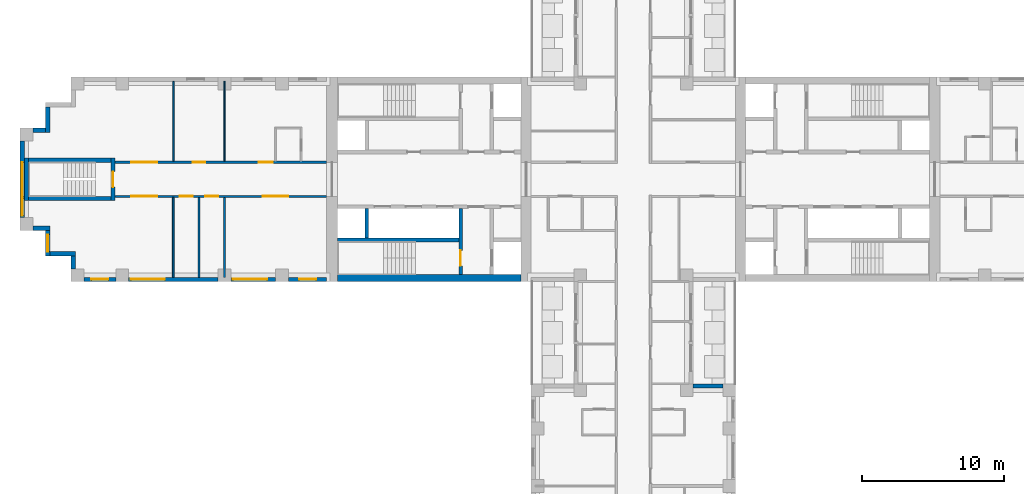
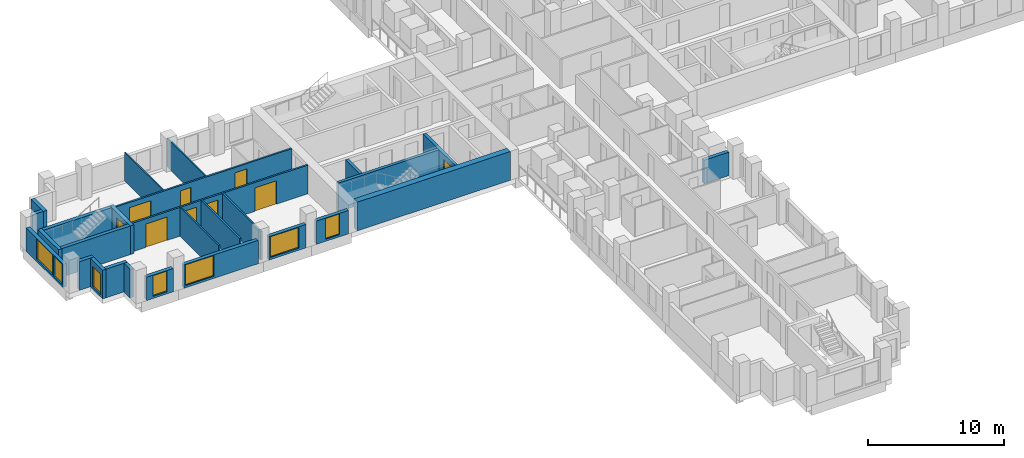
# One storey, part 5 of 15: 27 walls, 9 doors, 7 windows, 16 openings.
"""IFC4 building model written with IfcOpenShell, lengths in metres."""

import ifcopenshell
import ifcopenshell.guid

model = None  # the IFC model being written
_history = None  # IfcOwnerHistory: only IFC2X3 demands one
_inside = {}  # id of a spatial element -> (the spatial element, [elements in it])
_under = {}  # id of a project, library or spatial element -> (it, [spatial elements below it])
_declared = {}  # id of a project -> (the project, [libraries it declares])
_typed = {}  # id of a type object -> (the type object, [elements of that type])
_made_of = {}  # id of a material, layer set ... -> (it, [elements and type objects made of it])


def new_model(schema):
    """Start an empty IFC model of exactly this schema.

    Asked for "IFC4X3", IfcOpenShell would pick the latest addendum, in which some entities
    have other attributes; the version numbers below select the first issue.
    IFC2X3 requires an IfcOwnerHistory on every rooted entity: one is made here for all.
    """
    global model, _history
    if schema == "IFC4X3":
        model = ifcopenshell.file(schema_version=(4, 3, 0, 0))
    else:
        model = ifcopenshell.file(schema=schema)
    _inside.clear()
    _under.clear()
    _declared.clear()
    _typed.clear()
    _made_of.clear()
    _history = None
    if model.schema == "IFC2X3":
        org = make("IfcOrganization", Name="unknown")
        user = make(
            "IfcPersonAndOrganization",
            ThePerson=make("IfcPerson", FamilyName="unknown"),
            TheOrganization=org,
        )
        app = make(
            "IfcApplication",
            ApplicationDeveloper=org,
            Version="unknown",
            ApplicationFullName="unknown",
            ApplicationIdentifier="unknown",
        )
        _history = make(
            "IfcOwnerHistory",
            OwningUser=user,
            OwningApplication=app,
            ChangeAction="ADDED",
            CreationDate=0,
        )
    return model


def make(cls, **values):
    """One entity of the class cls with the attributes given. An attribute that is None is left unset."""
    return model.create_entity(
        cls, **{name: value for name, value in values.items() if value is not None}
    )


def rooted(cls, **values):
    """An entity with a GlobalId (a new one), such as an element, a storey or a relation."""
    return make(cls, GlobalId=ifcopenshell.guid.new(), OwnerHistory=_history, **values)


def si_unit(unit_type, name, prefix=None):
    """IfcSIUnit, for example si_unit("LENGTHUNIT", "METRE", prefix="MILLI")."""
    return make("IfcSIUnit", UnitType=unit_type, Prefix=prefix, Name=name)


def assignment(units):
    """IfcUnitAssignment: the units of a project."""
    return None if units is None else make("IfcUnitAssignment", Units=units)


def point(xyz):
    """IfcCartesianPoint."""
    return None if xyz is None else make("IfcCartesianPoint", Coordinates=xyz)


def direction(xyz):
    """IfcDirection."""
    return None if xyz is None else make("IfcDirection", DirectionRatios=xyz)


def frame(location, z_axis=None, x_axis=None):
    """IfcAxis2Placement3D, a coordinate frame: its origin and axes. An axis left out is left unset."""
    return make(
        "IfcAxis2Placement3D",
        Location=point(location),
        Axis=direction(z_axis),
        RefDirection=direction(x_axis),
    )


def frame_2d(location, x_axis=None):
    """IfcAxis2Placement2D, a coordinate frame in the plane: its origin and x axis."""
    return make(
        "IfcAxis2Placement2D", Location=point(location), RefDirection=direction(x_axis)
    )


def origin():
    """The frame at (0, 0, 0) with its axes left unset."""
    return frame((0.0, 0.0, 0.0))


def place(relative_to, where):
    """IfcLocalPlacement: puts the frame where relative to a parent placement (None: the world)."""
    return make(
        "IfcLocalPlacement", PlacementRelTo=relative_to, RelativePlacement=where
    )


def context(
    kind, dimensions, precision=None, world=None, true_north=None, identifier=None
):
    """IfcGeometricRepresentationContext, for example the 3D "Model" context."""
    return make(
        "IfcGeometricRepresentationContext",
        ContextIdentifier=identifier,
        ContextType=kind,
        CoordinateSpaceDimension=dimensions,
        Precision=precision,
        WorldCoordinateSystem=world,
        TrueNorth=true_north,
    )


def subcontext(parent, identifier, kind, view, scale=None):
    """IfcGeometricRepresentationSubContext, for example "Body" below "Model"."""
    return make(
        "IfcGeometricRepresentationSubContext",
        ContextIdentifier=identifier,
        ContextType=kind,
        ParentContext=parent,
        TargetScale=scale,
        TargetView=view,
    )


def project(units=None, contexts=None):
    """IfcProject with its units and contexts."""
    return rooted(
        "IfcProject",
        Name="project",
        RepresentationContexts=contexts,
        UnitsInContext=assignment(units),
    )


def spatial(cls, under=None, at=None, **own):
    """A site, building, storey or space (cls), placed at a placement, below another one or the project."""
    s = rooted(cls, ObjectPlacement=at, **own)
    if under is not None:
        _under.setdefault(under.id(), (under, []))[1].append(s)
    return s


def profile(cls, at=None, kind="AREA", **sizes):
    """A parametric profile (cls). Its sizes go by their IFC names, for example OverallWidth=200.0."""
    return make(cls, ProfileType=kind, Position=at, **sizes)


def rectangle(**sizes):
    """IfcRectangleProfileDef."""
    return profile("IfcRectangleProfileDef", **sizes)


def extrude(swept, where, along, depth):
    """IfcExtrudedAreaSolid: the profile swept, set in the frame where, extruded along a direction by depth."""
    return make(
        "IfcExtrudedAreaSolid",
        SweptArea=swept,
        Position=where,
        ExtrudedDirection=direction(along),
        Depth=depth,
    )


def shape(context_of_items, identifier, shape_type, items):
    """IfcShapeRepresentation: the items that make up one representation, for example the "Body"."""
    return make(
        "IfcShapeRepresentation",
        ContextOfItems=context_of_items,
        RepresentationIdentifier=identifier,
        RepresentationType=shape_type,
        Items=items,
    )


def material(Name=None, Category=None):
    """IfcMaterial."""
    return make("IfcMaterial", Name=Name, Category=Category)


def layer(
    of_material, thickness, ventilated=None, Name=None, Category=None, Priority=None
):
    """IfcMaterialLayer: one layer of a wall or slab, of a material (None: an air gap)."""
    return make(
        "IfcMaterialLayer",
        Material=of_material,
        LayerThickness=thickness,
        IsVentilated=ventilated,
        Name=Name,
        Category=Category,
        Priority=Priority,
    )


def layer_set(layers, Name=None):
    """IfcMaterialLayerSet."""
    return make("IfcMaterialLayerSet", MaterialLayers=layers, LayerSetName=Name)


def made_of(thing, what):
    """Note that an element or type object is made of a material, layer set ...; save() writes the relation."""
    if what is not None:
        _made_of.setdefault(what.id(), (what, []))[1].append(thing)
    return thing


def type_object(cls, material=None, **own):
    """A type object (cls), such as IfcWallType, which elements share."""
    return made_of(rooted(cls, **own), material)


def element(
    cls,
    number,
    at=None,
    inside=None,
    cuts=None,
    type_object=None,
    material=None,
    context=None,
    identifier="Body",
    shape_type=None,
    held_by="IfcProductDefinitionShape",
    body=None,
    shapes=None,
    **own,
):
    """One element of the class cls, such as IfcWall. Its Tag is "e" and its number.

    at: its placement. inside: the storey or other place that contains it. cuts: it is an
    opening in that element (IfcRelVoidsElement). A single representation is given by context,
    identifier, shape_type and body (its items); several are given by shapes. held_by: the class
    of the entity that holds the representations. save() writes the other relations.
    """
    e = rooted(cls, Tag="e%d" % number, ObjectPlacement=at, **own)
    if body is not None:
        shapes = [shape(context, identifier, shape_type, body)]
    if shapes is not None:
        e.Representation = make(held_by, Representations=shapes)
    if inside is not None:
        _inside.setdefault(inside.id(), (inside, []))[1].append(e)
    if cuts is not None:
        rooted(
            "IfcRelVoidsElement", RelatingBuildingElement=cuts, RelatedOpeningElement=e
        )
    if type_object is not None:
        _typed.setdefault(type_object.id(), (type_object, []))[1].append(e)
    return made_of(e, material)


def fill(opening, filler):
    """IfcRelFillsElement: the door or window that sits in an opening."""
    return rooted(
        "IfcRelFillsElement",
        RelatingOpeningElement=opening,
        RelatedBuildingElement=filler,
    )


def aggregate(whole, parts):
    """IfcRelAggregates: a whole, such as a stair, and the parts it consists of."""
    return rooted("IfcRelAggregates", RelatingObject=whole, RelatedObjects=parts)


def save(model, path):
    """Write the relations noted so far, then the file.

    IfcRelAggregates (storeys below a building ...), IfcRelContainedInSpatialStructure (elements
    in a storey), IfcRelDefinesByType, IfcRelAssociatesMaterial and IfcRelDeclares: one each for
    every whole, place, type object, material and project.
    """
    for whole, parts in _under.values():
        aggregate(whole, parts)
    for where, things in _inside.values():
        rooted(
            "IfcRelContainedInSpatialStructure",
            RelatedElements=things,
            RelatingStructure=where,
        )
    for kind, things in _typed.values():
        rooted("IfcRelDefinesByType", RelatedObjects=things, RelatingType=kind)
    for what, things in _made_of.values():
        rooted("IfcRelAssociatesMaterial", RelatedObjects=things, RelatingMaterial=what)
    for by, libraries in _declared.values():
        rooted("IfcRelDeclares", RelatingContext=by, RelatedDefinitions=libraries)
    model.write(path)


model = new_model("IFC4")

# Units and contexts
model_context = context("Model", 3, precision=1e-05, world=origin(), true_north=direction((0.0, 1.0)))
body_context = subcontext(model_context, "Body", "Model", "MODEL_VIEW")
ifc_project = project(units=[si_unit("LENGTHUNIT", "METRE"), si_unit("AREAUNIT", "SQUARE_METRE"), si_unit("VOLUMEUNIT", "CUBIC_METRE"), si_unit("PLANEANGLEUNIT", "RADIAN"), si_unit("MASSUNIT", "GRAM", prefix="KILO")], contexts=[model_context])

# Site, building, storey
site_placement = place(None, origin())
site = spatial("IfcSite", under=ifc_project, at=site_placement, CompositionType="ELEMENT")
building_placement = place(site_placement, origin())
building = spatial("IfcBuilding", under=site, at=building_placement, Name="Fustian Cross Tower", CompositionType="ELEMENT")
storey_placement = place(building_placement, frame((0.0, 0.0, 41.699951171875)))
storey = spatial("IfcBuildingStorey", under=building, at=storey_placement, Name="L12", CompositionType="ELEMENT", Elevation=41.699951171875)

# Wall, openings, doors
ifc_material_1 = material(Name="Plasterboard on steel stud", Category="steel")
ifc_layer_1 = layer(ifc_material_1, 0.14990234375)
ifc_layer_set_1 = layer_set([ifc_layer_1], Name="Plasterboard on steel stud")
wall_type_1 = type_object("IfcWallType", Name="COMPARTMENT WALL 150 EI 60", PredefinedType="PARTITIONING", material=ifc_layer_set_1)
wall_1_placement = place(storey_placement, frame((-36.5, -1.199951171875, 0.0), z_axis=(0.0, 0.0, 1.0), x_axis=(1.0, 0.0, 0.0)))
wall_1 = element("IfcWall", 1, at=wall_1_placement, inside=storey, type_object=wall_type_1, Name="Partition 1", PredefinedType="PARTITIONING", context=body_context, shape_type="SweptSolid", body=[
    extrude(rectangle(XDim=14.89990234375, YDim=0.14990234375, at=frame_2d((7.449951171875, 0.0))), origin(), (0.0, 0.0, 1.0), 2.574951171875),
])
opening_1_placement = place(wall_1_placement, frame((10.39990234375, 0.0, 0.0)))
opening_1 = element("IfcOpeningElement", 2, at=opening_1_placement, cuts=wall_1, Name="Opening D07041", PredefinedType="OPENING", context=body_context, shape_type="SweptSolid", body=[
    extrude(rectangle(XDim=1.800048828125, YDim=2.10009765625, at=frame_2d((0.89990234375, 1.050048828125))), frame((0.0, 0.0849609375, 0.0), z_axis=(0.0, -1.0, 0.0), x_axis=(1.0, 0.0, 0.0)), (0.0, 0.0, 1.0), 0.169921875),
])
opening_2_placement = place(wall_1_placement, frame((6.35009765625, 0.0, 0.0)))
opening_2 = element("IfcOpeningElement", 3, at=opening_2_placement, cuts=wall_1, Name="Opening D07042", PredefinedType="OPENING", context=body_context, shape_type="SweptSolid", body=[
    extrude(rectangle(XDim=0.89990234375, YDim=2.10009765625, at=frame_2d((0.449951171875, 1.050048828125))), frame((0.0, 0.0849609375, 0.0), z_axis=(0.0, -1.0, 0.0), x_axis=(1.0, 0.0, 0.0)), (0.0, 0.0, 1.0), 0.169921875),
])
opening_3_placement = place(wall_1_placement, frame((4.550048828125, 0.0, 0.0)))
opening_3 = element("IfcOpeningElement", 4, at=opening_3_placement, cuts=wall_1, Name="Opening D07043", PredefinedType="OPENING", context=body_context, shape_type="SweptSolid", body=[
    extrude(rectangle(XDim=0.89990234375, YDim=2.10009765625, at=frame_2d((0.449951171875, 1.050048828125))), frame((0.0, 0.0849609375, 0.0), z_axis=(0.0, -1.0, 0.0), x_axis=(1.0, 0.0, 0.0)), (0.0, 0.0, 1.0), 0.169921875),
])
opening_4_placement = place(wall_1_placement, frame((1.14990234375, 0.0, 0.0)))
opening_4 = element("IfcOpeningElement", 5, at=opening_4_placement, cuts=wall_1, Name="Opening D07044", PredefinedType="OPENING", context=body_context, shape_type="SweptSolid", body=[
    extrude(rectangle(XDim=1.800048828125, YDim=2.10009765625, at=frame_2d((0.89990234375, 1.050048828125))), frame((0.0, 0.0849609375, 0.0), z_axis=(0.0, -1.0, 0.0), x_axis=(1.0, 0.0, 0.0)), (0.0, 0.0, 1.0), 0.169921875),
])
ifc_material_2 = material(Name="Timber fire door set", Category="wood")
door_type_1 = type_object("IfcDoorType", Name="FIRE DOUBLE DOOR 1800 FD30S", OperationType="DOUBLE_DOOR_DOUBLE_SWING", PredefinedType="DOOR", material=ifc_material_2)
door_1_placement = place(opening_1_placement, origin())
door_1 = element("IfcDoor", 6, at=door_1_placement, inside=storey, type_object=door_type_1, Name="Door D07041", OperationType="DOUBLE_DOOR_DOUBLE_SWING", OverallHeight=2.10009765625, OverallWidth=1.800048828125, PredefinedType="DOOR", context=body_context, shape_type="SweptSolid", body=[
    extrude(rectangle(XDim=1.800048828125, YDim=2.10009765625, at=frame_2d((0.89990234375, 1.050048828125))), frame((0.0, 0.02490234375, 0.0), z_axis=(0.0, -1.0, 0.0), x_axis=(1.0, 0.0, 0.0)), (0.0, 0.0, 1.0), 0.050048828125),
])
fill(opening_1, door_1)
door_2_placement = place(opening_4_placement, origin())
door_2 = element("IfcDoor", 7, at=door_2_placement, inside=storey, type_object=door_type_1, Name="Door D07044", OperationType="DOUBLE_DOOR_DOUBLE_SWING", OverallHeight=2.10009765625, OverallWidth=1.800048828125, PredefinedType="DOOR", context=body_context, shape_type="SweptSolid", body=[
    extrude(rectangle(XDim=1.800048828125, YDim=2.10009765625, at=frame_2d((0.89990234375, 1.050048828125))), frame((0.0, 0.02490234375, 0.0), z_axis=(0.0, -1.0, 0.0), x_axis=(1.0, 0.0, 0.0)), (0.0, 0.0, 1.0), 0.050048828125),
])
fill(opening_4, door_2)
ifc_material_3 = material(Name="Timber fire door set", Category="wood")
door_type_2 = type_object("IfcDoorType", Name="FIRE SWING DOOR 900 FD30S", OperationType="SINGLE_SWING_LEFT", PredefinedType="DOOR", material=ifc_material_3)
door_3_placement = place(opening_2_placement, frame((0.89990234375, 0.0, 0.0), z_axis=(0.0, 0.0, 1.0), x_axis=(-1.0, 0.0, 0.0)))
door_3 = element("IfcDoor", 8, at=door_3_placement, inside=storey, type_object=door_type_2, Name="Door D07042", OperationType="SINGLE_SWING_LEFT", OverallHeight=2.10009765625, OverallWidth=0.89990234375, PredefinedType="DOOR", context=body_context, shape_type="SweptSolid", body=[
    extrude(rectangle(XDim=0.89990234375, YDim=2.10009765625, at=frame_2d((0.449951171875, 1.050048828125))), frame((0.0, 0.02490234375, 0.0), z_axis=(0.0, -1.0, 0.0), x_axis=(1.0, 0.0, 0.0)), (0.0, 0.0, 1.0), 0.050048828125),
])
fill(opening_2, door_3)
door_4_placement = place(opening_3_placement, frame((0.89990234375, 0.0, 0.0), z_axis=(0.0, 0.0, 1.0), x_axis=(-1.0, 0.0, 0.0)))
door_4 = element("IfcDoor", 9, at=door_4_placement, inside=storey, type_object=door_type_2, Name="Door D07043", OperationType="SINGLE_SWING_LEFT", OverallHeight=2.10009765625, OverallWidth=0.89990234375, PredefinedType="DOOR", context=body_context, shape_type="SweptSolid", body=[
    extrude(rectangle(XDim=0.89990234375, YDim=2.10009765625, at=frame_2d((0.449951171875, 1.050048828125))), frame((0.0, 0.02490234375, 0.0), z_axis=(0.0, -1.0, 0.0), x_axis=(1.0, 0.0, 0.0)), (0.0, 0.0, 1.0), 0.050048828125),
])
fill(opening_3, door_4)

wall_2_placement = place(storey_placement, frame((-36.5, 1.199951171875, 0.0), z_axis=(0.0, 0.0, 1.0), x_axis=(1.0, 0.0, 0.0)))
wall_2 = element("IfcWall", 10, at=wall_2_placement, inside=storey, type_object=wall_type_1, Name="Partition 2", PredefinedType="PARTITIONING", context=body_context, shape_type="SweptSolid", body=[
    extrude(rectangle(XDim=14.89990234375, YDim=0.14990234375, at=frame_2d((7.449951171875, 0.0))), origin(), (0.0, 0.0, 1.0), 2.574951171875),
])
opening_5_placement = place(wall_2_placement, frame((10.10009765625, 0.0, 0.0)))
opening_5 = element("IfcOpeningElement", 11, at=opening_5_placement, cuts=wall_2, Name="Opening D07046", PredefinedType="OPENING", context=body_context, shape_type="SweptSolid", body=[
    extrude(rectangle(XDim=1.0, YDim=2.10009765625, at=frame_2d((0.5, 1.050048828125))), frame((0.0, 0.0849609375, 0.0), z_axis=(0.0, -1.0, 0.0), x_axis=(1.0, 0.0, 0.0)), (0.0, 0.0, 1.0), 0.169921875),
])
opening_6_placement = place(wall_2_placement, frame((5.449951171875, 0.0, 0.0)))
opening_6 = element("IfcOpeningElement", 12, at=opening_6_placement, cuts=wall_2, Name="Opening D07047", PredefinedType="OPENING", context=body_context, shape_type="SweptSolid", body=[
    extrude(rectangle(XDim=0.89990234375, YDim=2.10009765625, at=frame_2d((0.449951171875, 1.050048828125))), frame((0.0, 0.0849609375, 0.0), z_axis=(0.0, -1.0, 0.0), x_axis=(1.0, 0.0, 0.0)), (0.0, 0.0, 1.0), 0.169921875),
])
opening_7_placement = place(wall_2_placement, frame((1.14990234375, 0.0, 0.0)))
opening_7 = element("IfcOpeningElement", 13, at=opening_7_placement, cuts=wall_2, Name="Opening D07048", PredefinedType="OPENING", context=body_context, shape_type="SweptSolid", body=[
    extrude(rectangle(XDim=1.800048828125, YDim=2.10009765625, at=frame_2d((0.89990234375, 1.050048828125))), frame((0.0, 0.0849609375, 0.0), z_axis=(0.0, -1.0, 0.0), x_axis=(1.0, 0.0, 0.0)), (0.0, 0.0, 1.0), 0.169921875),
])
door_5_placement = place(opening_7_placement, frame((1.800048828125, 0.0, 0.0), z_axis=(0.0, 0.0, 1.0), x_axis=(-1.0, 0.0, 0.0)))
door_5 = element("IfcDoor", 14, at=door_5_placement, inside=storey, type_object=door_type_1, Name="Door D07048", OperationType="DOUBLE_DOOR_DOUBLE_SWING", OverallHeight=2.10009765625, OverallWidth=1.800048828125, PredefinedType="DOOR", context=body_context, shape_type="SweptSolid", body=[
    extrude(rectangle(XDim=1.800048828125, YDim=2.10009765625, at=frame_2d((0.89990234375, 1.050048828125))), frame((0.0, 0.02490234375, 0.0), z_axis=(0.0, -1.0, 0.0), x_axis=(1.0, 0.0, 0.0)), (0.0, 0.0, 1.0), 0.050048828125),
])
fill(opening_7, door_5)
ifc_material_4 = material(Name="Timber fire door set", Category="wood")
door_type_3 = type_object("IfcDoorType", Name="FIRE SWING DOOR 1000 FD30S", OperationType="SINGLE_SWING_LEFT", PredefinedType="DOOR", material=ifc_material_4)
door_6_placement = place(opening_5_placement, origin())
door_6 = element("IfcDoor", 15, at=door_6_placement, inside=storey, type_object=door_type_3, Name="Door D07046", OperationType="SINGLE_SWING_RIGHT", OverallHeight=2.10009765625, OverallWidth=1.0, PredefinedType="DOOR", context=body_context, shape_type="SweptSolid", body=[
    extrude(rectangle(XDim=1.0, YDim=2.10009765625, at=frame_2d((0.5, 1.050048828125))), frame((0.0, 0.02490234375, 0.0), z_axis=(0.0, -1.0, 0.0), x_axis=(1.0, 0.0, 0.0)), (0.0, 0.0, 1.0), 0.050048828125),
])
fill(opening_5, door_6)
door_7_placement = place(opening_6_placement, origin())
door_7 = element("IfcDoor", 16, at=door_7_placement, inside=storey, type_object=door_type_2, Name="Door D07047", OperationType="SINGLE_SWING_LEFT", OverallHeight=2.10009765625, OverallWidth=0.89990234375, PredefinedType="DOOR", context=body_context, shape_type="SweptSolid", body=[
    extrude(rectangle(XDim=0.89990234375, YDim=2.10009765625, at=frame_2d((0.449951171875, 1.050048828125))), frame((0.0, 0.02490234375, 0.0), z_axis=(0.0, -1.0, 0.0), x_axis=(1.0, 0.0, 0.0)), (0.0, 0.0, 1.0), 0.050048828125),
])
fill(opening_6, door_7)

# Walls
for number, where, z_axis, x_axis, name in (
    (17, (-30.60009765625, -6.89990234375, 0.0), (0.0, 0.0, 1.0), (0.0, 1.0, 0.0), "Partition 5"),
    (18, (-28.800048828125, -6.89990234375, 0.0), (0.0, 0.0, 1.0), (0.0, 1.0, 0.0), "Partition 6"),
):
    element("IfcWall", number, at=place(storey_placement, frame(where, z_axis=z_axis, x_axis=x_axis)), inside=storey, type_object=wall_type_1, Name=name, PredefinedType="PARTITIONING", context=body_context, shape_type="SweptSolid", body=[
        extrude(rectangle(XDim=5.625, YDim=0.14990234375, at=frame_2d((2.8125, 0.0))), origin(), (0.0, 0.0, 1.0), 2.574951171875),
    ])
ifc_material_5 = material(Name="Concrete C80/95", Category="concrete")
ifc_layer_2 = layer(ifc_material_5, 0.5)
ifc_layer_set_2 = layer_set([ifc_layer_2], Name="Concrete C80/95")
wall_type_2 = type_object("IfcWallType", Name="CORE FACADE WALL 500 C80/95", PredefinedType="SHEAR", material=ifc_layer_set_2)
wall_3_placement = place(storey_placement, frame((-7.89990234375, -6.949951171875, 0.0), z_axis=(0.0, 0.0, 1.0), x_axis=(-1.0, 0.0, 0.0)))
element("IfcWall", 19, at=wall_3_placement, inside=storey, type_object=wall_type_2, Name="Core facade wall", PredefinedType="SHEAR", context=body_context, shape_type="SweptSolid", body=[
    extrude(rectangle(XDim=12.9501953125, YDim=0.5, at=frame_2d((6.47509765625, 0.0))), origin(), (0.0, 0.0, 1.0), 2.574951171875),
])
ifc_material_6 = material(Name="Concrete C50/60", Category="concrete")
ifc_layer_3 = layer(ifc_material_6, 0.25)
ifc_layer_set_3 = layer_set([ifc_layer_3], Name="Concrete C50/60")
wall_type_3 = type_object("IfcWallType", Name="CORE SHAFT WALL 250 C50/60", PredefinedType="SHEAR", material=ifc_layer_set_3)
wall_4_placement = place(storey_placement, frame((-12.300048828125, -4.27490234375, 0.0), z_axis=(0.0, 0.0, 1.0), x_axis=(-1.0, 0.0, 0.0)))
element("IfcWall", 20, at=wall_4_placement, inside=storey, type_object=wall_type_3, Name="Core shaft wall", PredefinedType="SHEAR", context=body_context, shape_type="SweptSolid", body=[
    extrude(rectangle(XDim=8.550048828125, YDim=0.25, at=frame_2d((4.27490234375, 0.0))), origin(), (0.0, 0.0, 1.0), 2.574951171875),
])

# Wall, opening, door
wall_5_placement = place(storey_placement, frame((-12.175048828125, -2.050048828125, 0.0), z_axis=(0.0, 0.0, 1.0), x_axis=(0.0, -1.0, 0.0)))
wall_5 = element("IfcWall", 21, at=wall_5_placement, inside=storey, type_object=wall_type_3, Name="Core shaft wall", PredefinedType="SHEAR", context=body_context, shape_type="SweptSolid", body=[
    extrude(rectangle(XDim=4.64990234375, YDim=0.25, at=frame_2d((2.324951171875, 0.0))), origin(), (0.0, 0.0, 1.0), 2.574951171875),
])
opening_8_placement = place(wall_5_placement, frame((2.949951171875, 0.0, 0.0)))
opening_8 = element("IfcOpeningElement", 22, at=opening_8_placement, cuts=wall_5, Name="Opening CD-04-21", PredefinedType="OPENING", context=body_context, shape_type="SweptSolid", body=[
    extrude(rectangle(XDim=1.10009765625, YDim=2.10009765625, at=frame_2d((0.550048828125, 1.050048828125))), frame((0.0, 0.135009765625, 0.0), z_axis=(0.0, -1.0, 0.0), x_axis=(1.0, 0.0, 0.0)), (0.0, 0.0, 1.0), 0.27001953125),
])
ifc_material_7 = material(Name="Steel", Category="steel")
door_type_4 = type_object("IfcDoorType", Name="FIRE DOOR FD60S 1100X2100", OperationType="SINGLE_SWING_LEFT", PredefinedType="DOOR", material=ifc_material_7)
door_8_placement = place(opening_8_placement, frame((1.10009765625, 0.0, 0.0), z_axis=(0.0, 0.0, 1.0), x_axis=(-1.0, 0.0, 0.0)))
door_8 = element("IfcDoor", 23, at=door_8_placement, inside=storey, type_object=door_type_4, Name="Core door CD-04-21", OperationType="SINGLE_SWING_RIGHT", OverallHeight=2.10009765625, OverallWidth=1.10009765625, PredefinedType="DOOR", context=body_context, shape_type="SweptSolid", body=[
    extrude(rectangle(XDim=1.10009765625, YDim=2.10009765625, at=frame_2d((0.550048828125, 1.050048828125))), frame((0.0, 0.02490234375, 0.0), z_axis=(0.0, -1.0, 0.0), x_axis=(1.0, 0.0, 0.0)), (0.0, 0.0, 1.0), 0.050048828125),
])
fill(opening_8, door_8)

# Walls
ifc_material_8 = material(Name="Plasterboard on steel stud", Category="steel")
ifc_layer_4 = layer(ifc_material_8, 0.10009765625)
ifc_layer_set_4 = layer_set([ifc_layer_4], Name="Plasterboard on steel stud")
wall_type_4 = type_object("IfcWallType", Name="PARTITION 100 STUD", PredefinedType="PARTITIONING", material=ifc_layer_set_4)
for number, where, z_axis, x_axis, name in (
    (24, (-32.39990234375, 1.27490234375, 0.0), (0.0, 0.0, 1.0), (0.0, 1.0, 0.0), "Partition 4"),
    (25, (-28.800048828125, 1.27490234375, 0.0), (0.0, 0.0, 1.0), (0.0, 1.0, 0.0), "Partition 7"),
):
    element("IfcWall", number, at=place(storey_placement, frame(where, z_axis=z_axis, x_axis=x_axis)), inside=storey, type_object=wall_type_4, Name=name, PredefinedType="PARTITIONING", context=body_context, shape_type="SweptSolid", body=[
        extrude(rectangle(XDim=5.625, YDim=0.10009765625, at=frame_2d((2.8125, 0.0))), origin(), (0.0, 0.0, 1.0), 2.574951171875),
    ])
ifc_material_9 = material(Name="Concrete C40/50", Category="concrete")
ifc_layer_5 = layer(ifc_material_9, 0.25)
ifc_layer_set_5 = layer_set([ifc_layer_5], Name="Concrete C40/50")
wall_type_5 = type_object("IfcWallType", Name="SHAFT PARTITION WALL 250 C40/50", PredefinedType="PARTITIONING", material=ifc_layer_set_5)
wall_6_placement = place(storey_placement, frame((-18.77490234375, -2.050048828125, 0.0), z_axis=(0.0, 0.0, 1.0), x_axis=(0.0, -1.0, 0.0)))
element("IfcWall", 26, at=wall_6_placement, inside=storey, type_object=wall_type_5, Name="Core shaft wall", PredefinedType="PARTITIONING", context=body_context, shape_type="SweptSolid", body=[
    extrude(rectangle(XDim=2.099853515625, YDim=0.25, at=frame_2d((1.0498046875, 0.0))), origin(), (0.0, 0.0, 1.0), 2.574951171875),
])

# Wall, opening, door
ifc_material_10 = material(Name="Concrete C50/60", Category="concrete")
ifc_layer_6 = layer(ifc_material_10, 0.300048828125)
ifc_layer_set_6 = layer_set([ifc_layer_6], Name="Concrete C50/60")
wall_type_6 = type_object("IfcWallType", Name="STAIR ENCLOSURE WALL 300 C50/60", PredefinedType="SHEAR", material=ifc_layer_set_6)
wall_7_placement = place(storey_placement, frame((-36.64990234375, -1.5, 0.0), z_axis=(0.0, 0.0, 1.0), x_axis=(0.0, 1.0, 0.0)))
wall_7 = element("IfcWall", 27, at=wall_7_placement, inside=storey, type_object=wall_type_6, Name="Stair enclosure wall", PredefinedType="SHEAR", context=body_context, shape_type="SweptSolid", body=[
    extrude(rectangle(XDim=3.0, YDim=0.300048828125, at=frame_2d((1.5, 0.0))), origin(), (0.0, 0.0, 1.0), 2.574951171875),
])
opening_9_placement = place(wall_7_placement, frame((0.949951171875, 0.0, 0.0)))
opening_9 = element("IfcOpeningElement", 28, at=opening_9_placement, cuts=wall_7, Name="Opening CD-04-32", PredefinedType="OPENING", context=body_context, shape_type="SweptSolid", body=[
    extrude(rectangle(XDim=1.10009765625, YDim=2.10009765625, at=frame_2d((0.550048828125, 1.050048828125))), frame((0.0, 0.159912109375, 0.0), z_axis=(0.0, -1.0, 0.0), x_axis=(1.0, 0.0, 0.0)), (0.0, 0.0, 1.0), 0.320068359375),
])
door_9_placement = place(opening_9_placement, origin())
door_9 = element("IfcDoor", 29, at=door_9_placement, inside=storey, type_object=door_type_4, Name="Core door CD-04-32", OperationType="SINGLE_SWING_LEFT", OverallHeight=2.10009765625, OverallWidth=1.10009765625, PredefinedType="DOOR", context=body_context, shape_type="SweptSolid", body=[
    extrude(rectangle(XDim=1.10009765625, YDim=2.10009765625, at=frame_2d((0.550048828125, 1.050048828125))), frame((0.0, 0.02490234375, 0.0), z_axis=(0.0, -1.0, 0.0), x_axis=(1.0, 0.0, 0.0)), (0.0, 0.0, 1.0), 0.050048828125),
])
fill(opening_9, door_9)

# Walls
wall_8_placement = place(storey_placement, frame((-42.75, -1.5, 0.0), z_axis=(0.0, 0.0, 1.0), x_axis=(0.0, 1.0, 0.0)))
element("IfcWall", 30, at=wall_8_placement, inside=storey, type_object=wall_type_6, Name="Stair enclosure wall", PredefinedType="SHEAR", context=body_context, shape_type="SweptSolid", body=[
    extrude(rectangle(XDim=3.0, YDim=0.300048828125, at=frame_2d((1.5, 0.0))), origin(), (0.0, 0.0, 1.0), 2.574951171875),
])
for number, where, z_axis, x_axis, name in (
    (31, (-36.800048828125, -1.35009765625, 0.0), (0.0, 0.0, 1.0), (-1.0, 0.0, 0.0), "Stair enclosure wall"),
    (32, (-36.800048828125, 1.35009765625, 0.0), (0.0, 0.0, 1.0), (-1.0, 0.0, 0.0), "Stair enclosure wall"),
):
    element("IfcWall", number, at=place(storey_placement, frame(where, z_axis=z_axis, x_axis=x_axis)), inside=storey, type_object=wall_type_6, Name=name, PredefinedType="SHEAR", context=body_context, shape_type="SweptSolid", body=[
        extrude(rectangle(XDim=5.800048828125, YDim=0.300048828125, at=frame_2d((2.89990234375, 0.0))), origin(), (0.0, 0.0, 1.0), 2.574951171875),
    ])
ifc_material_11 = material(Name="Plasterboard on steel stud", Category="steel")
ifc_layer_7 = layer(ifc_material_11, 0.125)
ifc_layer_set_7 = layer_set([ifc_layer_7], Name="Plasterboard on steel stud")
wall_type_7 = type_object("IfcWallType", Name="WET WALL 125 STUD", PredefinedType="PARTITIONING", material=ifc_layer_set_7)
wall_9_placement = place(storey_placement, frame((-32.39990234375, -6.89990234375, 0.0), z_axis=(0.0, 0.0, 1.0), x_axis=(0.0, 1.0, 0.0)))
element("IfcWall", 33, at=wall_9_placement, inside=storey, type_object=wall_type_7, Name="Partition 3", PredefinedType="PARTITIONING", context=body_context, shape_type="SweptSolid", body=[
    extrude(rectangle(XDim=5.625, YDim=0.125, at=frame_2d((2.8125, 0.0))), origin(), (0.0, 0.0, 1.0), 2.574951171875),
])
ifc_material_12 = material(Name="Dark aluminium cladding on insulated backing wall", Category="aluminium")
ifc_layer_8 = layer(ifc_material_12, 0.300048828125)
ifc_layer_set_8 = layer_set([ifc_layer_8], Name="Dark aluminium cladding on insulated backing wall")
wall_type_8 = type_object("IfcWallType", Name="XW1 EXTERNAL WALL 300", PredefinedType="SOLIDWALL", material=ifc_layer_set_8)
wall_10_placement = place(storey_placement, frame((-41.25, 5.10009765625, 0.0), z_axis=(0.0, 0.0, 1.0), x_axis=(0.0, -1.0, 0.0)))
element("IfcWall", 34, at=wall_10_placement, inside=storey, type_object=wall_type_8, Name="External wall", PredefinedType="SOLIDWALL", context=body_context, shape_type="SweptSolid", body=[
    extrude(rectangle(XDim=1.800048828125, YDim=0.300048828125, at=frame_2d((0.89990234375, 0.0))), origin(), (0.0, 0.0, 1.0), 2.574951171875),
])
wall_11_placement = place(storey_placement, frame((-41.39990234375, 3.449951171875, 0.0), z_axis=(0.0, 0.0, 1.0), x_axis=(-1.0, 0.0, 0.0)))
element("IfcWall", 35, at=wall_11_placement, inside=storey, type_object=wall_type_8, Name="External wall", PredefinedType="SOLIDWALL", context=body_context, shape_type="SweptSolid", body=[
    extrude(rectangle(XDim=0.900146484375, YDim=0.300048828125, at=frame_2d((0.4501953125, 0.0))), origin(), (0.0, 0.0, 1.0), 2.574951171875),
])

# Wall, openings, windows
wall_12_placement = place(storey_placement, frame((-43.050048828125, 2.699951171875, 0.0), z_axis=(0.0, 0.0, 1.0), x_axis=(0.0, -1.0, 0.0)))
wall_12 = element("IfcWall", 36, at=wall_12_placement, inside=storey, type_object=wall_type_8, Name="External wall", PredefinedType="SOLIDWALL", context=body_context, shape_type="SweptSolid", body=[
    extrude(rectangle(XDim=5.39990234375, YDim=0.300048828125, at=frame_2d((2.699951171875, 0.0))), origin(), (0.0, 0.0, 1.0), 2.10009765625),
])
opening_10_placement = place(wall_12_placement, frame((1.5, 0.0, 0.199951171875)))
opening_10 = element("IfcOpeningElement", 37, at=opening_10_placement, cuts=wall_12, Name="Opening WN1", PredefinedType="OPENING", context=body_context, shape_type="SweptSolid", body=[
    extrude(rectangle(XDim=2.39990234375, YDim=1.85009765625, at=frame_2d((1.199951171875, 0.925048828125))), frame((0.0, 0.159912109375, 0.0), z_axis=(0.0, -1.0, 0.0), x_axis=(1.0, 0.0, 0.0)), (0.0, 0.0, 1.0), 0.320068359375),
])
opening_11_placement = place(wall_12_placement, frame((4.050048828125, 0.0, 0.199951171875)))
opening_11 = element("IfcOpeningElement", 38, at=opening_11_placement, cuts=wall_12, Name="Opening WN3", PredefinedType="OPENING", context=body_context, shape_type="SweptSolid", body=[
    extrude(rectangle(XDim=1.199951171875, YDim=1.85009765625, at=frame_2d((0.60009765625, 0.925048828125))), frame((0.0, 0.159912109375, 0.0), z_axis=(0.0, -1.0, 0.0), x_axis=(1.0, 0.0, 0.0)), (0.0, 0.0, 1.0), 0.320068359375),
])
ifc_material_13 = material(Name="Dark anodised aluminium and double glazing", Category="aluminium")
window_type_1 = type_object("IfcWindowType", Name="WN1 WINDOW 2400X1850", PartitioningType="SINGLE_PANEL", PredefinedType="WINDOW", material=ifc_material_13)
window_1_placement = place(opening_10_placement, origin())
window_1 = element("IfcWindow", 39, at=window_1_placement, inside=storey, type_object=window_type_1, Name="Window", OverallHeight=1.85009765625, OverallWidth=2.39990234375, PartitioningType="SINGLE_PANEL", PredefinedType="WINDOW", context=body_context, shape_type="SweptSolid", body=[
    extrude(rectangle(XDim=2.39990234375, YDim=1.85009765625, at=frame_2d((1.199951171875, 0.925048828125))), frame((0.0, 0.030029296875, 0.0), z_axis=(0.0, -1.0, 0.0), x_axis=(1.0, 0.0, 0.0)), (0.0, 0.0, 1.0), 0.06005859375),
])
fill(opening_10, window_1)
ifc_material_14 = material(Name="Dark anodised aluminium and double glazing", Category="aluminium")
window_type_2 = type_object("IfcWindowType", Name="WN3 WINDOW 1200X1850", PartitioningType="SINGLE_PANEL", PredefinedType="WINDOW", material=ifc_material_14)
window_2_placement = place(opening_11_placement, origin())
window_2 = element("IfcWindow", 40, at=window_2_placement, inside=storey, type_object=window_type_2, Name="Window", OverallHeight=1.85009765625, OverallWidth=1.199951171875, PartitioningType="SINGLE_PANEL", PredefinedType="WINDOW", context=body_context, shape_type="SweptSolid", body=[
    extrude(rectangle(XDim=1.199951171875, YDim=1.85009765625, at=frame_2d((0.60009765625, 0.925048828125))), frame((0.0, 0.030029296875, 0.0), z_axis=(0.0, -1.0, 0.0), x_axis=(1.0, 0.0, 0.0)), (0.0, 0.0, 1.0), 0.06005859375),
])
fill(opening_11, window_2)

# Wall
wall_13_placement = place(storey_placement, frame((-42.300048828125, -3.449951171875, 0.0), z_axis=(0.0, 0.0, 1.0), x_axis=(1.0, 0.0, 0.0)))
element("IfcWall", 41, at=wall_13_placement, inside=storey, type_object=wall_type_8, Name="External wall", PredefinedType="SOLIDWALL", context=body_context, shape_type="SweptSolid", body=[
    extrude(rectangle(XDim=1.199951171875, YDim=0.300048828125, at=frame_2d((0.60009765625, 0.0))), origin(), (0.0, 0.0, 1.0), 2.574951171875),
])

# Wall, opening, window
wall_14_placement = place(storey_placement, frame((-41.25, -3.60009765625, 0.0), z_axis=(0.0, 0.0, 1.0), x_axis=(0.0, -1.0, 0.0)))
wall_14 = element("IfcWall", 42, at=wall_14_placement, inside=storey, type_object=wall_type_8, Name="External wall", PredefinedType="SOLIDWALL", context=body_context, shape_type="SweptSolid", body=[
    extrude(rectangle(XDim=1.7998046875, YDim=0.300048828125, at=frame_2d((0.89990234375, 0.0))), origin(), (0.0, 0.0, 1.0), 2.574951171875),
])
opening_12_placement = place(wall_14_placement, frame((0.300048828125, 0.0, 0.199951171875)))
opening_12 = element("IfcOpeningElement", 43, at=opening_12_placement, cuts=wall_14, Name="Opening WN3", PredefinedType="OPENING", context=body_context, shape_type="SweptSolid", body=[
    extrude(rectangle(XDim=1.199951171875, YDim=1.85009765625, at=frame_2d((0.60009765625, 0.925048828125))), frame((0.0, 0.159912109375, 0.0), z_axis=(0.0, -1.0, 0.0), x_axis=(1.0, 0.0, 0.0)), (0.0, 0.0, 1.0), 0.320068359375),
])
window_3_placement = place(opening_12_placement, origin())
window_3 = element("IfcWindow", 44, at=window_3_placement, inside=storey, type_object=window_type_2, Name="Window", OverallHeight=1.85009765625, OverallWidth=1.199951171875, PartitioningType="SINGLE_PANEL", PredefinedType="WINDOW", context=body_context, shape_type="SweptSolid", body=[
    extrude(rectangle(XDim=1.199951171875, YDim=1.85009765625, at=frame_2d((0.60009765625, 0.925048828125))), frame((0.0, 0.030029296875, 0.0), z_axis=(0.0, -1.0, 0.0), x_axis=(1.0, 0.0, 0.0)), (0.0, 0.0, 1.0), 0.06005859375),
])
fill(opening_12, window_3)

# Walls
wall_15_placement = place(storey_placement, frame((-41.10009765625, -5.25, 0.0), z_axis=(0.0, 0.0, 1.0), x_axis=(1.0, 0.0, 0.0)))
element("IfcWall", 45, at=wall_15_placement, inside=storey, type_object=wall_type_8, Name="External wall", PredefinedType="SOLIDWALL", context=body_context, shape_type="SweptSolid", body=[
    extrude(rectangle(XDim=1.800048828125, YDim=0.300048828125, at=frame_2d((0.89990234375, 0.0))), origin(), (0.0, 0.0, 1.0), 2.574951171875),
])
wall_16_placement = place(storey_placement, frame((-39.449951171875, -5.39990234375, 0.0), z_axis=(0.0, 0.0, 1.0), x_axis=(0.0, -1.0, 0.0)))
element("IfcWall", 46, at=wall_16_placement, inside=storey, type_object=wall_type_8, Name="External wall", PredefinedType="SOLIDWALL", context=body_context, shape_type="SweptSolid", body=[
    extrude(rectangle(XDim=0.900146484375, YDim=0.300048828125, at=frame_2d((0.4501953125, 0.0))), origin(), (0.0, 0.0, 1.0), 2.574951171875),
])

# Wall, opening, window
wall_17_placement = place(storey_placement, frame((-38.699951171875, -7.050048828125, 0.0), z_axis=(0.0, 0.0, 1.0), x_axis=(1.0, 0.0, 0.0)))
wall_17 = element("IfcWall", 47, at=wall_17_placement, inside=storey, type_object=wall_type_8, Name="External wall", PredefinedType="SOLIDWALL", context=body_context, shape_type="SweptSolid", body=[
    extrude(rectangle(XDim=2.25, YDim=0.300048828125, at=frame_2d((1.125, 0.0))), origin(), (0.0, 0.0, 1.0), 2.10009765625),
])
opening_13_placement = place(wall_17_placement, frame((0.52490234375, 0.0, 0.199951171875)))
opening_13 = element("IfcOpeningElement", 48, at=opening_13_placement, cuts=wall_17, Name="Opening WN3", PredefinedType="OPENING", context=body_context, shape_type="SweptSolid", body=[
    extrude(rectangle(XDim=1.199951171875, YDim=1.85009765625, at=frame_2d((0.60009765625, 0.925048828125))), frame((0.0, 0.159912109375, 0.0), z_axis=(0.0, -1.0, 0.0), x_axis=(1.0, 0.0, 0.0)), (0.0, 0.0, 1.0), 0.320068359375),
])
window_4_placement = place(opening_13_placement, origin())
window_4 = element("IfcWindow", 49, at=window_4_placement, inside=storey, type_object=window_type_2, Name="Window", OverallHeight=1.85009765625, OverallWidth=1.199951171875, PartitioningType="SINGLE_PANEL", PredefinedType="WINDOW", context=body_context, shape_type="SweptSolid", body=[
    extrude(rectangle(XDim=1.199951171875, YDim=1.85009765625, at=frame_2d((0.60009765625, 0.925048828125))), frame((0.0, 0.030029296875, 0.0), z_axis=(0.0, -1.0, 0.0), x_axis=(1.0, 0.0, 0.0)), (0.0, 0.0, 1.0), 0.06005859375),
])
fill(opening_13, window_4)

wall_18_placement = place(storey_placement, frame((-35.550048828125, -7.050048828125, 0.0), z_axis=(0.0, 0.0, 1.0), x_axis=(1.0, 0.0, 0.0)))
wall_18 = element("IfcWall", 50, at=wall_18_placement, inside=storey, type_object=wall_type_8, Name="External wall", PredefinedType="SOLIDWALL", context=body_context, shape_type="SweptSolid", body=[
    extrude(rectangle(XDim=6.300048828125, YDim=0.300048828125, at=frame_2d((3.14990234375, 0.0))), origin(), (0.0, 0.0, 1.0), 2.10009765625),
])
opening_14_placement = place(wall_18_placement, frame((0.14990234375, 0.0, 0.199951171875)))
opening_14 = element("IfcOpeningElement", 51, at=opening_14_placement, cuts=wall_18, Name="Opening WN1", PredefinedType="OPENING", context=body_context, shape_type="SweptSolid", body=[
    extrude(rectangle(XDim=2.39990234375, YDim=1.85009765625, at=frame_2d((1.199951171875, 0.925048828125))), frame((0.0, 0.159912109375, 0.0), z_axis=(0.0, -1.0, 0.0), x_axis=(1.0, 0.0, 0.0)), (0.0, 0.0, 1.0), 0.320068359375),
])
window_5_placement = place(opening_14_placement, origin())
window_5 = element("IfcWindow", 52, at=window_5_placement, inside=storey, type_object=window_type_1, Name="Window", OverallHeight=1.85009765625, OverallWidth=2.39990234375, PartitioningType="SINGLE_PANEL", PredefinedType="WINDOW", context=body_context, shape_type="SweptSolid", body=[
    extrude(rectangle(XDim=2.39990234375, YDim=1.85009765625, at=frame_2d((1.199951171875, 0.925048828125))), frame((0.0, 0.030029296875, 0.0), z_axis=(0.0, -1.0, 0.0), x_axis=(1.0, 0.0, 0.0)), (0.0, 0.0, 1.0), 0.06005859375),
])
fill(opening_14, window_5)

wall_19_placement = place(storey_placement, frame((-28.35009765625, -7.050048828125, 0.0), z_axis=(0.0, 0.0, 1.0), x_axis=(1.0, 0.0, 0.0)))
wall_19 = element("IfcWall", 53, at=wall_19_placement, inside=storey, type_object=wall_type_8, Name="External wall", PredefinedType="SOLIDWALL", context=body_context, shape_type="SweptSolid", body=[
    extrude(rectangle(XDim=3.150146484375, YDim=0.300048828125, at=frame_2d((1.5751953125, 0.0))), origin(), (0.0, 0.0, 1.0), 2.10009765625),
])
opening_15_placement = place(wall_19_placement, frame((0.14990234375, 0.0, 0.199951171875)))
opening_15 = element("IfcOpeningElement", 54, at=opening_15_placement, cuts=wall_19, Name="Opening WN1", PredefinedType="OPENING", context=body_context, shape_type="SweptSolid", body=[
    extrude(rectangle(XDim=2.39990234375, YDim=1.85009765625, at=frame_2d((1.199951171875, 0.925048828125))), frame((0.0, 0.159912109375, 0.0), z_axis=(0.0, -1.0, 0.0), x_axis=(1.0, 0.0, 0.0)), (0.0, 0.0, 1.0), 0.320068359375),
])
window_6_placement = place(opening_15_placement, origin())
window_6 = element("IfcWindow", 55, at=window_6_placement, inside=storey, type_object=window_type_1, Name="Window", OverallHeight=1.85009765625, OverallWidth=2.39990234375, PartitioningType="SINGLE_PANEL", PredefinedType="WINDOW", context=body_context, shape_type="SweptSolid", body=[
    extrude(rectangle(XDim=2.39990234375, YDim=1.85009765625, at=frame_2d((1.199951171875, 0.925048828125))), frame((0.0, 0.030029296875, 0.0), z_axis=(0.0, -1.0, 0.0), x_axis=(1.0, 0.0, 0.0)), (0.0, 0.0, 1.0), 0.06005859375),
])
fill(opening_15, window_6)

wall_20_placement = place(storey_placement, frame((-24.300048828125, -7.050048828125, 0.0), z_axis=(0.0, 0.0, 1.0), x_axis=(1.0, 0.0, 0.0)))
wall_20 = element("IfcWall", 56, at=wall_20_placement, inside=storey, type_object=wall_type_8, Name="External wall", PredefinedType="SOLIDWALL", context=body_context, shape_type="SweptSolid", body=[
    extrude(rectangle(XDim=2.699951171875, YDim=0.300048828125, at=frame_2d((1.35009765625, 0.0))), origin(), (0.0, 0.0, 1.0), 2.10009765625),
])
opening_16_placement = place(wall_20_placement, frame((0.75, 0.0, 0.199951171875)))
opening_16 = element("IfcOpeningElement", 57, at=opening_16_placement, cuts=wall_20, Name="Opening WN3", PredefinedType="OPENING", context=body_context, shape_type="SweptSolid", body=[
    extrude(rectangle(XDim=1.199951171875, YDim=1.85009765625, at=frame_2d((0.60009765625, 0.925048828125))), frame((0.0, 0.159912109375, 0.0), z_axis=(0.0, -1.0, 0.0), x_axis=(1.0, 0.0, 0.0)), (0.0, 0.0, 1.0), 0.320068359375),
])
window_7_placement = place(opening_16_placement, origin())
window_7 = element("IfcWindow", 58, at=window_7_placement, inside=storey, type_object=window_type_2, Name="Window", OverallHeight=1.85009765625, OverallWidth=1.199951171875, PartitioningType="SINGLE_PANEL", PredefinedType="WINDOW", context=body_context, shape_type="SweptSolid", body=[
    extrude(rectangle(XDim=1.199951171875, YDim=1.85009765625, at=frame_2d((0.60009765625, 0.925048828125))), frame((0.0, 0.030029296875, 0.0), z_axis=(0.0, -1.0, 0.0), x_axis=(1.0, 0.0, 0.0)), (0.0, 0.0, 1.0), 0.06005859375),
])
fill(opening_16, window_7)

# Wall
wall_21_placement = place(storey_placement, frame((6.300048828125, -14.550048828125, 0.0), z_axis=(0.0, 0.0, 1.0), x_axis=(-1.0, 0.0, 0.0)))
element("IfcWall", 59, at=wall_21_placement, inside=storey, type_object=wall_type_8, Name="External wall", PredefinedType="SOLIDWALL", context=body_context, shape_type="SweptSolid", body=[
    extrude(rectangle(XDim=2.10009765625, YDim=0.300048828125, at=frame_2d((1.050048828125, 0.0))), origin(), (0.0, 0.0, 1.0), 2.10009765625),
])

save(model, "model.ifc")
